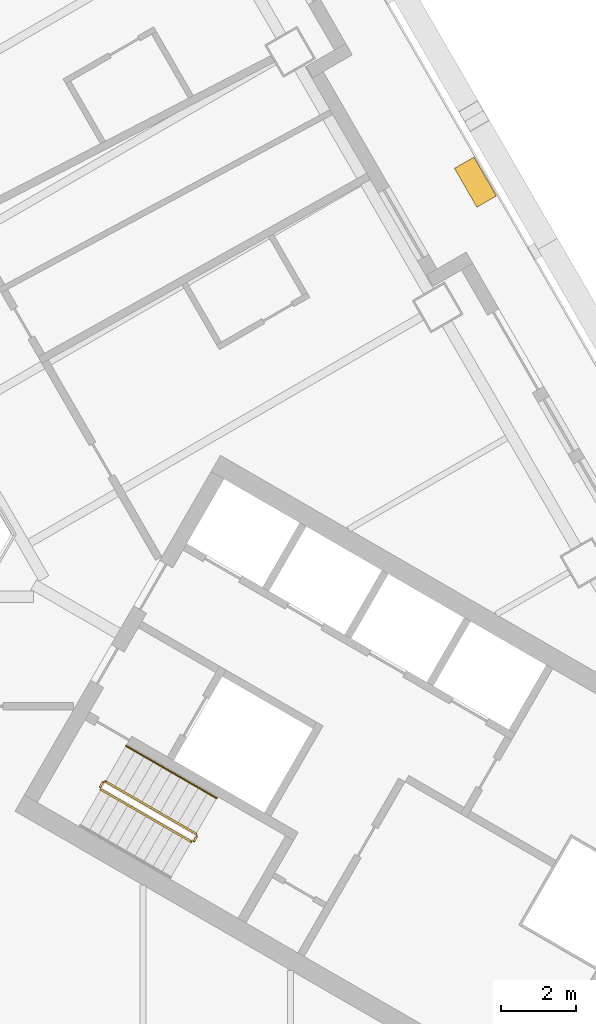
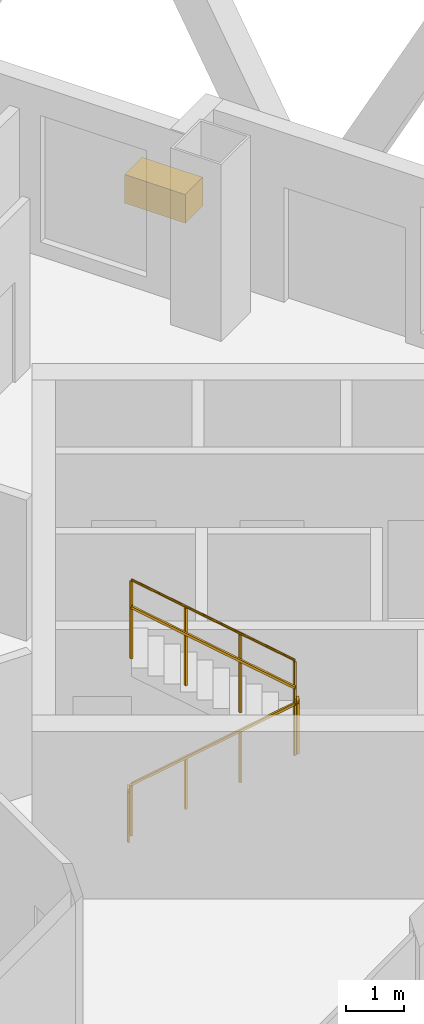
# One storey, part 12 of 14: 5 railings, 1 covering.
"""IFC4 building model written with IfcOpenShell, lengths in metres."""

from ifc_helpers import new_model, si_unit, direction, frame, origin, origin_2d, place, context, subcontext, project, spatial, rectangle, circle, extrude, material, type_object, element, save


model = new_model("IFC4")

# Units and contexts
model_context = context("Model", 3, precision=1e-05, world=origin(), true_north=direction((0.0, 1.0)))
body_context = subcontext(model_context, "Body", "Model", "MODEL_VIEW")
ifc_project = project(units=[si_unit("LENGTHUNIT", "METRE"), si_unit("AREAUNIT", "SQUARE_METRE"), si_unit("VOLUMEUNIT", "CUBIC_METRE"), si_unit("PLANEANGLEUNIT", "RADIAN"), si_unit("MASSUNIT", "GRAM", prefix="KILO")], contexts=[model_context])

# Site, building, storey
site_placement = place(None, origin())
site = spatial("IfcSite", under=ifc_project, at=site_placement, CompositionType="ELEMENT")
building_placement = place(site_placement, origin())
building = spatial("IfcBuilding", under=site, at=building_placement, Name="Apuvela Tower Hotel", CompositionType="ELEMENT")
storey_placement = place(building_placement, frame((0.0, 0.0, 76.10009765625)))
storey = spatial("IfcBuildingStorey", under=building, at=storey_placement, Name="L16", CompositionType="ELEMENT", Elevation=76.10009765625)

# Railings
ifc_material_1 = material(Name="Steel S275 balustrade", Category="steel")
railing_type_1 = type_object("IfcRailingType", Name="COR-GUARD-1100", PredefinedType="GUARDRAIL", material=ifc_material_1)
railing_1_placement = place(storey_placement, frame((10.718994140625, -10.63427734375, 0.16796875)))
element("IfcRailing", 1, at=railing_1_placement, inside=storey, type_object=railing_type_1, Name="L16 ST3 stair guard 1", PredefinedType="GUARDRAIL", context=body_context, shape_type="SweptSolid", body=[
    extrude(rectangle(XDim=0.048095703125, YDim=0.048095703125, at=origin_2d()), frame((0.0, 0.0, 1.076171875), z_axis=(0.742390482028, -0.42860119049, 0.514934356695), x_axis=(0.49998411664, 0.866034573852, 0.0)), (0.0, 0.0, 1.0), 3.26611328125),
    extrude(rectangle(XDim=0.0419921875, YDim=0.0419921875, at=origin_2d()), origin(), (0.0, 0.0, 1.0), 1.052001953125),
    extrude(rectangle(XDim=0.0419921875, YDim=0.0419921875, at=origin_2d()), frame((0.808349609375, -0.466552734375, 0.560546875)), (0.0, 0.0, 1.0), 1.052001953125),
    extrude(rectangle(XDim=0.0419921875, YDim=0.0419921875, at=origin_2d()), frame((1.616455078125, -0.933349609375, 1.121337890625)), (0.0, 0.0, 1.0), 1.052001953125),
    extrude(rectangle(XDim=0.0419921875, YDim=0.0419921875, at=origin_2d()), frame((2.4248046875, -1.39990234375, 1.681884765625)), (0.0, 0.0, 1.0), 1.052001953125),
])
railing_2_placement = place(storey_placement, frame((13.212158203125, -12.015869140625, 1.849853515625)))
element("IfcRailing", 2, at=railing_2_placement, inside=storey, type_object=railing_type_1, Name="L16 ST3 stair guard 2", PredefinedType="GUARDRAIL", context=body_context, shape_type="SweptSolid", body=[
    extrude(rectangle(XDim=0.048095703125, YDim=0.048095703125, at=origin_2d()), frame((0.0, 0.0, 1.076171875), z_axis=(0.499816412211, 0.866131372301, 0.0), x_axis=(-0.866131372301, 0.499816412211, 0.0)), (0.0, 0.0, 1.0), 0.14990234375),
    extrude(rectangle(XDim=0.0419921875, YDim=0.0419921875, at=origin_2d()), origin(), (0.0, 0.0, 1.0), 1.052001953125),
    extrude(rectangle(XDim=0.0419921875, YDim=0.0419921875, at=origin_2d()), frame((0.074951171875, 0.1298828125, 0.0)), (0.0, 0.0, 1.0), 1.052001953125),
])
railing_3_placement = place(storey_placement, frame((13.268798828125, -11.817626953125, 2.01806640625)))
element("IfcRailing", 3, at=railing_3_placement, inside=storey, type_object=railing_type_1, Name="L16 ST3 stair guard 3", PredefinedType="GUARDRAIL", context=body_context, shape_type="SweptSolid", body=[
    extrude(rectangle(XDim=0.048095703125, YDim=0.048095703125, at=origin_2d()), frame((0.0, 0.0, 1.076171875), z_axis=(-0.742390482028, 0.42860119049, 0.514934356695), x_axis=(-0.49998411664, -0.866034573852, 0.0)), (0.0, 0.0, 1.0), 3.26611328125),
    extrude(rectangle(XDim=0.0419921875, YDim=0.0419921875, at=origin_2d()), origin(), (0.0, 0.0, 1.0), 1.052001953125),
    extrude(rectangle(XDim=0.0419921875, YDim=0.0419921875, at=origin_2d()), frame((-0.808349609375, 0.466552734375, 0.560546875)), (0.0, 0.0, 1.0), 1.052001953125),
    extrude(rectangle(XDim=0.0419921875, YDim=0.0419921875, at=origin_2d()), frame((-1.616455078125, 0.933349609375, 1.121337890625)), (0.0, 0.0, 1.0), 1.052001953125),
    extrude(rectangle(XDim=0.0419921875, YDim=0.0419921875, at=origin_2d()), frame((-2.4248046875, 1.39990234375, 1.681884765625)), (0.0, 0.0, 1.0), 1.052001953125),
])
railing_4_placement = place(storey_placement, frame((10.70068359375, -10.56591796875, 0.0)))
element("IfcRailing", 4, at=railing_4_placement, inside=storey, type_object=railing_type_1, Name="L16 ST3 stair guard 4", PredefinedType="GUARDRAIL", context=body_context, shape_type="SweptSolid", body=[
    extrude(rectangle(XDim=0.048095703125, YDim=0.048095703125, at=origin_2d()), frame((0.0, 0.0, 1.076171875), z_axis=(0.499816412211, 0.866131372301, 0.0), x_axis=(-0.866131372301, 0.499816412211, 0.0)), (0.0, 0.0, 1.0), 0.14990234375),
    extrude(rectangle(XDim=0.0419921875, YDim=0.0419921875, at=origin_2d()), origin(), (0.0, 0.0, 1.0), 1.052001953125),
    extrude(rectangle(XDim=0.0419921875, YDim=0.0419921875, at=origin_2d()), frame((0.074951171875, 0.1298828125, 0.0)), (0.0, 0.0, 1.0), 1.052001953125),
])
ifc_material_2 = material(Name="Stainless steel 316 handrail", Category="steel")
railing_type_2 = type_object("IfcRailingType", Name="COR-HANDRAIL-900", PredefinedType="HANDRAIL", material=ifc_material_2)
railing_5_placement = place(storey_placement, frame((13.81884765625, -10.864990234375, 2.01806640625)))
element("IfcRailing", 5, at=railing_5_placement, inside=storey, type_object=railing_type_2, Name="L16 ST3 stair handrail 2", PredefinedType="HANDRAIL", context=body_context, shape_type="SweptSolid", body=[
    extrude(circle(Radius=0.02392578125, at=origin_2d()), frame((0.0, 0.0, 0.8759765625), z_axis=(-0.742390482028, 0.42860119049, 0.514934356695), x_axis=(-0.49998411664, -0.866034573852, 0.0)), (0.0, 0.0, 1.0), 3.26611328125),
    extrude(rectangle(XDim=0.0419921875, YDim=0.0419921875, at=origin_2d()), origin(), (0.0, 0.0, 1.0), 0.851806640625),
    extrude(rectangle(XDim=0.0419921875, YDim=0.0419921875, at=origin_2d()), frame((-0.808349609375, 0.466552734375, 0.560546875)), (0.0, 0.0, 1.0), 0.851806640625),
    extrude(rectangle(XDim=0.0419921875, YDim=0.0419921875, at=origin_2d()), frame((-1.616455078125, 0.933349609375, 1.121337890625)), (0.0, 0.0, 1.0), 0.851806640625),
    extrude(rectangle(XDim=0.0419921875, YDim=0.0419921875, at=origin_2d()), frame((-2.4248046875, 1.39990234375, 1.681884765625)), (0.0, 0.0, 1.0), 0.851806640625),
])

# Covering
ifc_material_3 = material(Name="Planting substrate and soil, planted")
covering_type = type_object("IfcCoveringType", Name="ENV-PLANTER-1200x600", PredefinedType="USERDEFINED", material=ifc_material_3)
covering_placement = place(storey_placement, frame((20.74609375, 5.626708984375, -0.000244140625), z_axis=(0.0, 0.0, 1.0), x_axis=(-0.5, 0.866025403784, 0.0)))
element("IfcCovering", 6, at=covering_placement, inside=storey, type_object=covering_type, Name="Planter NE3", ObjectType="PLANTER", PredefinedType="USERDEFINED", context=body_context, shape_type="SweptSolid", body=[
    extrude(rectangle(XDim=1.199951171875, YDim=0.60009765625, at=origin_2d()), origin(), (0.0, 0.0, 1.0), 0.60009765625),
])

save(model, "model.ifc")
